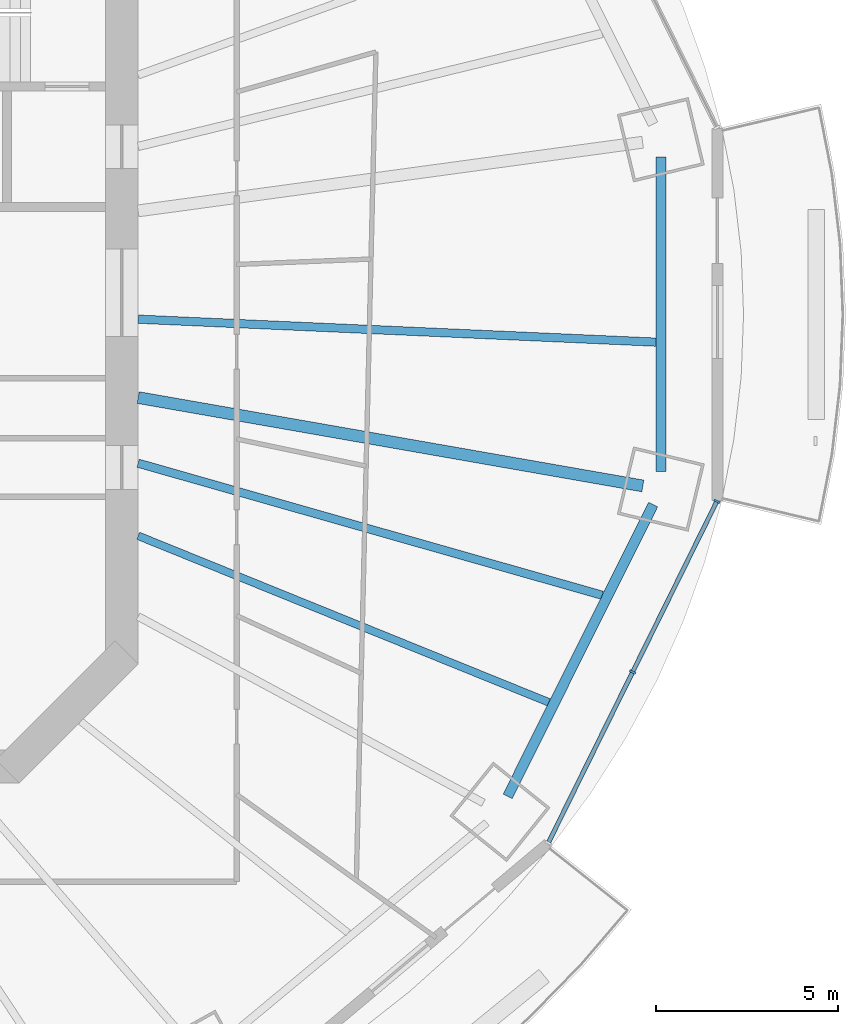
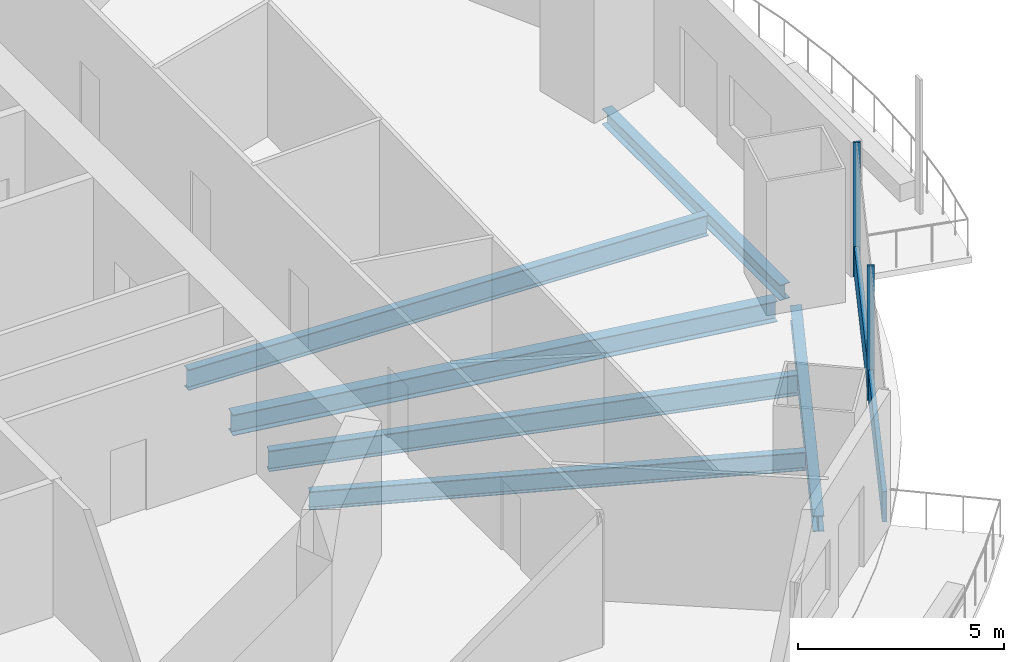
# One storey, part 5 of 20: 6 beams, 3 members, 1 element without a shape of its own.
"""IFC4 building model written with IfcOpenShell, lengths in metres."""

import ifcopenshell
import ifcopenshell.guid

model = None  # the IFC model being written
_history = None  # IfcOwnerHistory: only IFC2X3 demands one
_inside = {}  # id of a spatial element -> (the spatial element, [elements in it])
_under = {}  # id of a project, library or spatial element -> (it, [spatial elements below it])
_declared = {}  # id of a project -> (the project, [libraries it declares])
_typed = {}  # id of a type object -> (the type object, [elements of that type])
_made_of = {}  # id of a material, layer set ... -> (it, [elements and type objects made of it])


def new_model(schema):
    """Start an empty IFC model of exactly this schema.

    Asked for "IFC4X3", IfcOpenShell would pick the latest addendum, in which some entities
    have other attributes; the version numbers below select the first issue.
    IFC2X3 requires an IfcOwnerHistory on every rooted entity: one is made here for all.
    """
    global model, _history
    if schema == "IFC4X3":
        model = ifcopenshell.file(schema_version=(4, 3, 0, 0))
    else:
        model = ifcopenshell.file(schema=schema)
    _inside.clear()
    _under.clear()
    _declared.clear()
    _typed.clear()
    _made_of.clear()
    _history = None
    if model.schema == "IFC2X3":
        org = make("IfcOrganization", Name="unknown")
        user = make(
            "IfcPersonAndOrganization",
            ThePerson=make("IfcPerson", FamilyName="unknown"),
            TheOrganization=org,
        )
        app = make(
            "IfcApplication",
            ApplicationDeveloper=org,
            Version="unknown",
            ApplicationFullName="unknown",
            ApplicationIdentifier="unknown",
        )
        _history = make(
            "IfcOwnerHistory",
            OwningUser=user,
            OwningApplication=app,
            ChangeAction="ADDED",
            CreationDate=0,
        )
    return model


def make(cls, **values):
    """One entity of the class cls with the attributes given. An attribute that is None is left unset."""
    return model.create_entity(
        cls, **{name: value for name, value in values.items() if value is not None}
    )


def rooted(cls, **values):
    """An entity with a GlobalId (a new one), such as an element, a storey or a relation."""
    return make(cls, GlobalId=ifcopenshell.guid.new(), OwnerHistory=_history, **values)


def si_unit(unit_type, name, prefix=None):
    """IfcSIUnit, for example si_unit("LENGTHUNIT", "METRE", prefix="MILLI")."""
    return make("IfcSIUnit", UnitType=unit_type, Prefix=prefix, Name=name)


def assignment(units):
    """IfcUnitAssignment: the units of a project."""
    return None if units is None else make("IfcUnitAssignment", Units=units)


def point(xyz):
    """IfcCartesianPoint."""
    return None if xyz is None else make("IfcCartesianPoint", Coordinates=xyz)


def direction(xyz):
    """IfcDirection."""
    return None if xyz is None else make("IfcDirection", DirectionRatios=xyz)


def frame(location, z_axis=None, x_axis=None):
    """IfcAxis2Placement3D, a coordinate frame: its origin and axes. An axis left out is left unset."""
    return make(
        "IfcAxis2Placement3D",
        Location=point(location),
        Axis=direction(z_axis),
        RefDirection=direction(x_axis),
    )


def frame_2d(location, x_axis=None):
    """IfcAxis2Placement2D, a coordinate frame in the plane: its origin and x axis."""
    return make(
        "IfcAxis2Placement2D", Location=point(location), RefDirection=direction(x_axis)
    )


def origin():
    """The frame at (0, 0, 0) with its axes left unset."""
    return frame((0.0, 0.0, 0.0))


def origin_2d():
    """The frame at (0, 0) in the plane with its x axis left unset."""
    return frame_2d((0.0, 0.0))


def place(relative_to, where):
    """IfcLocalPlacement: puts the frame where relative to a parent placement (None: the world)."""
    return make(
        "IfcLocalPlacement", PlacementRelTo=relative_to, RelativePlacement=where
    )


def context(
    kind, dimensions, precision=None, world=None, true_north=None, identifier=None
):
    """IfcGeometricRepresentationContext, for example the 3D "Model" context."""
    return make(
        "IfcGeometricRepresentationContext",
        ContextIdentifier=identifier,
        ContextType=kind,
        CoordinateSpaceDimension=dimensions,
        Precision=precision,
        WorldCoordinateSystem=world,
        TrueNorth=true_north,
    )


def subcontext(parent, identifier, kind, view, scale=None):
    """IfcGeometricRepresentationSubContext, for example "Body" below "Model"."""
    return make(
        "IfcGeometricRepresentationSubContext",
        ContextIdentifier=identifier,
        ContextType=kind,
        ParentContext=parent,
        TargetScale=scale,
        TargetView=view,
    )


def project(units=None, contexts=None):
    """IfcProject with its units and contexts."""
    return rooted(
        "IfcProject",
        Name="project",
        RepresentationContexts=contexts,
        UnitsInContext=assignment(units),
    )


def spatial(cls, under=None, at=None, **own):
    """A site, building, storey or space (cls), placed at a placement, below another one or the project."""
    s = rooted(cls, ObjectPlacement=at, **own)
    if under is not None:
        _under.setdefault(under.id(), (under, []))[1].append(s)
    return s


def profile(cls, at=None, kind="AREA", **sizes):
    """A parametric profile (cls). Its sizes go by their IFC names, for example OverallWidth=200.0."""
    return make(cls, ProfileType=kind, Position=at, **sizes)


def rectangle(**sizes):
    """IfcRectangleProfileDef."""
    return profile("IfcRectangleProfileDef", **sizes)


def i_section(**sizes):
    """IfcIShapeProfileDef."""
    return profile("IfcIShapeProfileDef", **sizes)


def extrude(swept, where, along, depth):
    """IfcExtrudedAreaSolid: the profile swept, set in the frame where, extruded along a direction by depth."""
    return make(
        "IfcExtrudedAreaSolid",
        SweptArea=swept,
        Position=where,
        ExtrudedDirection=direction(along),
        Depth=depth,
    )


def shape(context_of_items, identifier, shape_type, items):
    """IfcShapeRepresentation: the items that make up one representation, for example the "Body"."""
    return make(
        "IfcShapeRepresentation",
        ContextOfItems=context_of_items,
        RepresentationIdentifier=identifier,
        RepresentationType=shape_type,
        Items=items,
    )


def material(Name=None, Category=None):
    """IfcMaterial."""
    return make("IfcMaterial", Name=Name, Category=Category)


def material_profile(
    of_material, cross_section, Name=None, Category=None, Priority=None
):
    """IfcMaterialProfile: a cross section and its material."""
    return make(
        "IfcMaterialProfile",
        Name=Name,
        Material=of_material,
        Profile=cross_section,
        Priority=Priority,
        Category=Category,
    )


def profile_set(profiles, Name=None, composite=None):
    """IfcMaterialProfileSet."""
    return make(
        "IfcMaterialProfileSet",
        Name=Name,
        MaterialProfiles=profiles,
        CompositeProfile=composite,
    )


def made_of(thing, what):
    """Note that an element or type object is made of a material, layer set ...; save() writes the relation."""
    if what is not None:
        _made_of.setdefault(what.id(), (what, []))[1].append(thing)
    return thing


def type_object(cls, material=None, **own):
    """A type object (cls), such as IfcWallType, which elements share."""
    return made_of(rooted(cls, **own), material)


def element(
    cls,
    number,
    at=None,
    inside=None,
    cuts=None,
    type_object=None,
    material=None,
    context=None,
    identifier="Body",
    shape_type=None,
    held_by="IfcProductDefinitionShape",
    body=None,
    shapes=None,
    **own,
):
    """One element of the class cls, such as IfcWall. Its Tag is "e" and its number.

    at: its placement. inside: the storey or other place that contains it. cuts: it is an
    opening in that element (IfcRelVoidsElement). A single representation is given by context,
    identifier, shape_type and body (its items); several are given by shapes. held_by: the class
    of the entity that holds the representations. save() writes the other relations.
    """
    e = rooted(cls, Tag="e%d" % number, ObjectPlacement=at, **own)
    if body is not None:
        shapes = [shape(context, identifier, shape_type, body)]
    if shapes is not None:
        e.Representation = make(held_by, Representations=shapes)
    if inside is not None:
        _inside.setdefault(inside.id(), (inside, []))[1].append(e)
    if cuts is not None:
        rooted(
            "IfcRelVoidsElement", RelatingBuildingElement=cuts, RelatedOpeningElement=e
        )
    if type_object is not None:
        _typed.setdefault(type_object.id(), (type_object, []))[1].append(e)
    return made_of(e, material)


def aggregate(whole, parts):
    """IfcRelAggregates: a whole, such as a stair, and the parts it consists of."""
    return rooted("IfcRelAggregates", RelatingObject=whole, RelatedObjects=parts)


def save(model, path):
    """Write the relations noted so far, then the file.

    IfcRelAggregates (storeys below a building ...), IfcRelContainedInSpatialStructure (elements
    in a storey), IfcRelDefinesByType, IfcRelAssociatesMaterial and IfcRelDeclares: one each for
    every whole, place, type object, material and project.
    """
    for whole, parts in _under.values():
        aggregate(whole, parts)
    for where, things in _inside.values():
        rooted(
            "IfcRelContainedInSpatialStructure",
            RelatedElements=things,
            RelatingStructure=where,
        )
    for kind, things in _typed.values():
        rooted("IfcRelDefinesByType", RelatedObjects=things, RelatingType=kind)
    for what, things in _made_of.values():
        rooted("IfcRelAssociatesMaterial", RelatedObjects=things, RelatingMaterial=what)
    for by, libraries in _declared.values():
        rooted("IfcRelDeclares", RelatingContext=by, RelatedDefinitions=libraries)
    model.write(path)


model = new_model("IFC4")

# Units and contexts
model_context = context("Model", 3, precision=1e-05, world=origin(), true_north=direction((0.0, 1.0)))
body_context = subcontext(model_context, "Body", "Model", "MODEL_VIEW")
ifc_project = project(units=[si_unit("LENGTHUNIT", "METRE"), si_unit("AREAUNIT", "SQUARE_METRE"), si_unit("VOLUMEUNIT", "CUBIC_METRE"), si_unit("PLANEANGLEUNIT", "RADIAN"), si_unit("MASSUNIT", "GRAM", prefix="KILO")], contexts=[model_context])

# Site, building, storey
site_placement = place(None, origin())
site = spatial("IfcSite", under=ifc_project, at=site_placement, CompositionType="ELEMENT")
building_placement = place(site_placement, origin())
building = spatial("IfcBuilding", under=site, at=building_placement, Name="Marenthal Gate Tower", CompositionType="ELEMENT")
storey_placement = place(building_placement, frame((0.0, 0.0, 215.0)))
storey = spatial("IfcBuildingStorey", under=building, at=storey_placement, Name="L47", CompositionType="ELEMENT", Elevation=215.0)

# Curtain wall, members
ifc_material_1 = material(Name="Aluminium and glass", Category="aluminium")
curtain_wall_type = type_object("IfcCurtainWallType", Name="Curtain wall typical mid", PredefinedType="NOTDEFINED", material=ifc_material_1)
curtain_wall_placement = place(storey_placement, origin())
curtain_wall = element("IfcCurtainWall", 1, at=curtain_wall_placement, inside=storey, type_object=curtain_wall_type, Name="Curtain wall L47 bay 15", PredefinedType="NOTDEFINED")
ifc_material_2 = material(Name="Aluminium", Category="aluminium")
ifc_material_profile_1 = material_profile(ifc_material_2, rectangle(XDim=0.179931640625, YDim=0.06005859375, at=origin_2d()), Name="60x180 aluminium mullion")
ifc_profile_set_1 = profile_set([ifc_material_profile_1], Name="Aluminium")
member_type_1 = type_object("IfcMemberType", Name="Mullion 60x180 typical mid", PredefinedType="MULLION", material=ifc_profile_set_1)
member_1_placement = place(storey_placement, frame((30.007568359375, -10.407470703125, 0.0), z_axis=(0.0, 0.0, 1.0), x_axis=(-0.896756924648, 0.442523466153, 0.0)))
member_1 = element("IfcMember", 2, at=member_1_placement, type_object=member_type_1, Name="Mullion L47 bay 15.2", PredefinedType="MULLION", context=body_context, shape_type="SweptSolid", body=[
    extrude(rectangle(XDim=0.179931640625, YDim=0.06005859375, at=origin_2d()), origin(), (0.0, 0.0, 1.0), 3.969970703125),
])
member_2_placement = place(storey_placement, frame((32.318603515625, -5.724609375, 0.0), z_axis=(0.0, 0.0, 1.0), x_axis=(-0.896756924648, 0.442523466153, 0.0)))
member_2 = element("IfcMember", 3, at=member_2_placement, type_object=member_type_1, Name="Mullion L47 bay 15.3", PredefinedType="MULLION", context=body_context, shape_type="SweptSolid", body=[
    extrude(rectangle(XDim=0.179931640625, YDim=0.06005859375, at=origin_2d()), origin(), (0.0, 0.0, 1.0), 3.969970703125),
])
ifc_material_3 = material(Name="Aluminium", Category="aluminium")
ifc_material_profile_2 = material_profile(ifc_material_3, rectangle(XDim=0.1201171875, YDim=0.89990234375, at=origin_2d()), Name="120x900 aluminium transom")
ifc_profile_set_2 = profile_set([ifc_material_profile_2], Name="Aluminium")
member_type_2 = type_object("IfcMemberType", Name="Transom 120x900 typical mid", PredefinedType="USERDEFINED", material=ifc_profile_set_2)
member_3_placement = place(storey_placement, frame((27.710205078125, -15.063232421875, 0.449951171875), z_axis=(0.44251449594, 0.896761351131, 0.0), x_axis=(-0.896761351131, 0.44251449594, 0.0)))
member_3 = element("IfcMember", 4, at=member_3_placement, type_object=member_type_2, Name="Transom L47 bay 15", ObjectType="TRANSOM", PredefinedType="USERDEFINED", context=body_context, shape_type="SweptSolid", body=[
    extrude(rectangle(XDim=0.1201171875, YDim=0.89990234375, at=origin_2d()), origin(), (0.0, 0.0, 1.0), 10.3837890625),
])
aggregate(curtain_wall, [member_1, member_2, member_3])

# Beams
ifc_material_4 = material(Name="Steel S355", Category="steel")
ifc_material_profile_3 = material_profile(ifc_material_4, i_section(OverallWidth=0.279052734375, OverallDepth=0.4619140625, WebThickness=0.0107421875, FlangeThickness=0.017333984375, FilletRadius=0.010009765625, at=origin_2d()), Name="W460X113")
ifc_profile_set_3 = profile_set([ifc_material_profile_3], Name="Steel S355")
beam_type_1 = type_object("IfcBeamType", Name="W460X113 beam", PredefinedType="BEAM", material=ifc_profile_set_3)
beam_1_placement = place(storey_placement, frame((26.580810546875, -13.81640625, -0.410888671875), z_axis=(0.44619754622, 0.894934494668, 0.0), x_axis=(-0.894934494668, 0.44619754622, 0.0)))
element("IfcBeam", 5, at=beam_1_placement, inside=storey, type_object=beam_type_1, Name="BM-L47-55", PredefinedType="BEAM", context=body_context, shape_type="SweptSolid", body=[
    extrude(i_section(OverallWidth=0.279052734375, OverallDepth=0.4619140625, WebThickness=0.0107421875, FlangeThickness=0.017333984375, FilletRadius=0.010009765625, at=origin_2d()), origin(), (0.0, 0.0, 1.0), 8.941162109375),
])
beam_2_placement = place(storey_placement, frame((30.7822265625, -4.91259765625, -0.410888671875), z_axis=(0.0, 1.0, 0.0), x_axis=(-1.0, 0.0, 0.0)))
element("IfcBeam", 6, at=beam_2_placement, inside=storey, type_object=beam_type_1, Name="BM-L47-56", PredefinedType="BEAM", context=body_context, shape_type="SweptSolid", body=[
    extrude(i_section(OverallWidth=0.279052734375, OverallDepth=0.4619140625, WebThickness=0.0107421875, FlangeThickness=0.017333984375, FilletRadius=0.010009765625, at=origin_2d()), origin(), (0.0, 0.0, 1.0), 8.625244140625),
])
ifc_material_5 = material(Name="Steel S355", Category="steel")
ifc_material_profile_4 = material_profile(ifc_material_5, i_section(OverallWidth=0.2119140625, OverallDepth=0.5439453125, WebThickness=0.01318359375, FlangeThickness=0.021240234375, FilletRadius=0.0126953125, at=origin_2d()), Name="W530X123")
ifc_profile_set_4 = profile_set([ifc_material_profile_4], Name="Steel S355")
beam_type_2 = type_object("IfcBeamType", Name="W530X123 beam", PredefinedType="BEAM", material=ifc_profile_set_4)
beam_3_placement = place(storey_placement, frame((27.7109375, -11.23681640625, -0.451904296875), z_axis=(-0.926706556643, 0.375785787218, 0.0), x_axis=(-0.375785787218, -0.926706556643, 0.0)))
element("IfcBeam", 7, at=beam_3_placement, inside=storey, type_object=beam_type_2, Name="BM-L47-38", PredefinedType="BEAM", context=body_context, shape_type="SweptSolid", body=[
    extrude(i_section(OverallWidth=0.2119140625, OverallDepth=0.5439453125, WebThickness=0.01318359375, FlangeThickness=0.021240234375, FilletRadius=0.0126953125, at=origin_2d()), origin(), (0.0, 0.0, 1.0), 12.151611328125),
])
ifc_material_6 = material(Name="Steel S355", Category="steel")
ifc_material_profile_5 = material_profile(ifc_material_6, i_section(OverallWidth=0.22900390625, OverallDepth=0.612060546875, WebThickness=0.011962890625, FlangeThickness=0.01953125, FilletRadius=0.0126953125, at=origin_2d()), Name="W610X125")
ifc_profile_set_5 = profile_set([ifc_material_profile_5], Name="Steel S355")
beam_type_3 = type_object("IfcBeamType", Name="W610X125 beam", PredefinedType="BEAM", material=ifc_profile_set_5)
beam_4_placement = place(storey_placement, frame((29.1748046875, -8.300537109375, -0.486083984375), z_axis=(-0.961829058202, 0.273650987204, 0.0), x_axis=(-0.273650987204, -0.961829058202, 0.0)))
element("IfcBeam", 8, at=beam_4_placement, inside=storey, type_object=beam_type_3, Name="BM-L47-39", PredefinedType="BEAM", context=body_context, shape_type="SweptSolid", body=[
    extrude(i_section(OverallWidth=0.22900390625, OverallDepth=0.612060546875, WebThickness=0.011962890625, FlangeThickness=0.01953125, FilletRadius=0.0126953125, at=origin_2d()), origin(), (0.0, 0.0, 1.0), 13.229736328125),
])
beam_5_placement = place(storey_placement, frame((30.642578125, -1.360107421875, -0.486083984375), z_axis=(-0.999016616403, 0.044337344887, 0.0), x_axis=(-0.044337344887, -0.999016616403, 0.0)))
element("IfcBeam", 9, at=beam_5_placement, inside=storey, type_object=beam_type_3, Name="BM-L47-40", PredefinedType="BEAM", context=body_context, shape_type="SweptSolid", body=[
    extrude(i_section(OverallWidth=0.22900390625, OverallDepth=0.612060546875, WebThickness=0.011962890625, FlangeThickness=0.01953125, FilletRadius=0.0126953125, at=origin_2d()), origin(), (0.0, 0.0, 1.0), 14.20654296875),
])
ifc_material_7 = material(Name="Steel S355", Category="steel")
ifc_material_profile_6 = material_profile(ifc_material_7, i_section(OverallWidth=0.324951171875, OverallDepth=0.612060546875, WebThickness=0.0126953125, FlangeThickness=0.01904296875, FilletRadius=0.0126953125, at=origin_2d()), Name="W610X155")
ifc_profile_set_6 = profile_set([ifc_material_profile_6], Name="Steel S355")
beam_type_4 = type_object("IfcBeamType", Name="W610X155 beam", PredefinedType="BEAM", material=ifc_profile_set_6)
beam_6_placement = place(storey_placement, frame((30.287841796875, -5.302978515625, -0.486083984375), z_axis=(-0.985015709177, 0.172464641811, 0.0), x_axis=(-0.172464641811, -0.985015709177, 0.0)))
element("IfcBeam", 10, at=beam_6_placement, inside=storey, type_object=beam_type_4, Name="BM-L47-16", PredefinedType="BEAM", context=body_context, shape_type="SweptSolid", body=[
    extrude(i_section(OverallWidth=0.324951171875, OverallDepth=0.612060546875, WebThickness=0.0126953125, FlangeThickness=0.01904296875, FilletRadius=0.0126953125, at=origin_2d()), origin(), (0.0, 0.0, 1.0), 14.04833984375),
])

save(model, "model.ifc")
